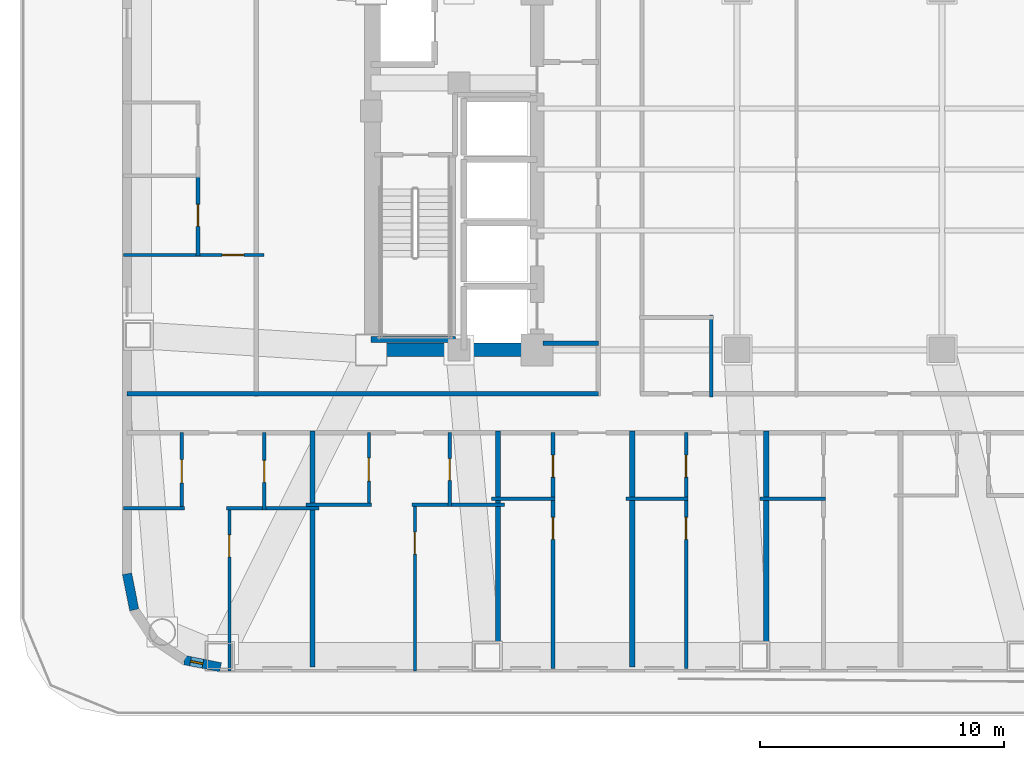
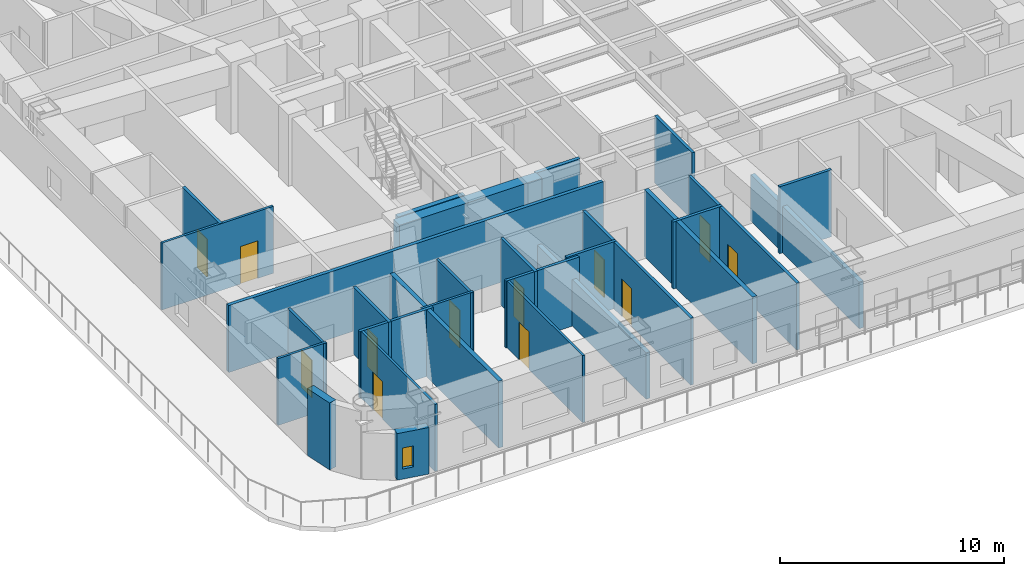
# One storey, part 6 of 18: 30 walls, 12 doors, 1 window, 13 openings.
"""IFC4 building model written with IfcOpenShell, lengths in metres."""

from ifc_helpers import new_model, si_unit, direction, frame, frame_2d, origin, place, context, subcontext, project, spatial, rectangle, extrude, material, layer, layer_set, type_object, element, fill, save


model = new_model("IFC4")

# Units and contexts
model_context = context("Model", 3, precision=1e-05, world=origin(), true_north=direction((0.0, 1.0)))
body_context = subcontext(model_context, "Body", "Model", "MODEL_VIEW")
ifc_project = project(units=[si_unit("LENGTHUNIT", "METRE"), si_unit("AREAUNIT", "SQUARE_METRE"), si_unit("VOLUMEUNIT", "CUBIC_METRE"), si_unit("PLANEANGLEUNIT", "RADIAN"), si_unit("MASSUNIT", "GRAM", prefix="KILO")], contexts=[model_context])

# Site, building, storey
site_placement = place(None, origin())
site = spatial("IfcSite", under=ifc_project, at=site_placement, CompositionType="ELEMENT")
building_placement = place(site_placement, origin())
building = spatial("IfcBuilding", under=site, at=building_placement, Name="Voryun Gate Residences", CompositionType="ELEMENT")
storey_placement = place(building_placement, frame((0.0, 0.0, 85.800048828125)))
storey = spatial("IfcBuildingStorey", under=building, at=storey_placement, Name="L20", CompositionType="ELEMENT", Elevation=85.800048828125)

# Walls
ifc_material_1 = material(Name="Concrete C60/75", Category="concrete")
ifc_layer_1 = layer(ifc_material_1, 0.550048828125, Name="CW_CORE_550")
ifc_layer_set_1 = layer_set([ifc_layer_1], Name="Concrete C60/75")
wall_type_1 = type_object("IfcWallType", Name="CW_CORE_550", PredefinedType="SHEAR", material=ifc_layer_set_1)
wall_1_placement = place(storey_placement, frame((-19.47509765625, -7.39990234375, 0.0), z_axis=(0.0, 0.0, 1.0), x_axis=(1.0, 0.0, 0.0)))
element("IfcWall", 1, at=wall_1_placement, inside=storey, type_object=wall_type_1, Name="L20 Core shear wall CW-L20-WS", PredefinedType="SHEAR", context=body_context, shape_type="SweptSolid", body=[
    extrude(rectangle(XDim=7.35009765625, YDim=0.550048828125, at=frame_2d((3.675048828125, 0.0))), origin(), (0.0, 0.0, 1.0), 3.64990234375),
])
ifc_material_2 = material(Name="Gypsum acoustic fireboard")
ifc_layer_2 = layer(ifc_material_2, 0.179931640625, Name="W_CORR_RATED_180")
ifc_layer_set_2 = layer_set([ifc_layer_2], Name="Gypsum acoustic fireboard")
wall_type_2 = type_object("IfcWallType", Name="W_CORR_RATED_180", PredefinedType="PARTITIONING", material=ifc_layer_set_2)
wall_2_placement = place(storey_placement, frame((-12.14990234375, -7.1201171875, 0.0), z_axis=(0.0, 0.0, 1.0), x_axis=(1.0, 0.0, 0.0)))
element("IfcWall", 2, at=wall_2_placement, inside=storey, type_object=wall_type_2, Name="Partition wall WP-L20-PLBS-W", PredefinedType="PARTITIONING", context=body_context, shape_type="SweptSolid", body=[
    extrude(rectangle(XDim=2.27001953125, YDim=0.179931640625, at=frame_2d((1.135009765625, 0.0))), origin(), (0.0, 0.0, 1.0), 3.64990234375),
])
wall_3_placement = place(storey_placement, frame((-29.2099609375, -9.18994140625, 0.0), z_axis=(0.0, 0.0, 1.0), x_axis=(1.0, 0.0, 0.0)))
element("IfcWall", 3, at=wall_3_placement, inside=storey, type_object=wall_type_2, Name="Partition wall WP-L20-CWING-WS", PredefinedType="PARTITIONING", context=body_context, shape_type="SweptSolid", body=[
    extrude(rectangle(XDim=19.330078125, YDim=0.179931640625, at=frame_2d((9.6650390625, 0.0))), origin(), (0.0, 0.0, 1.0), 3.64990234375),
])

# Wall, opening, window
ifc_material_3 = material(Name="Granite masonry", Category="masonry")
ifc_layer_3 = layer(ifc_material_3, 0.3798828125, Name="W_EXT_GRANITE_380")
ifc_layer_set_3 = layer_set([ifc_layer_3], Name="Granite masonry")
wall_type_3 = type_object("IfcWallType", Name="W_EXT_GRANITE_380", PredefinedType="ELEMENTEDWALL", material=ifc_layer_set_3)
wall_4_placement = place(storey_placement, frame((-25.38134765625, -20.409912109375, 0.0), z_axis=(0.0, 0.0, 1.0), x_axis=(-0.980786132421, 0.195086038585, 0.0)))
wall_4 = element("IfcWall", 4, at=wall_4_placement, inside=storey, type_object=wall_type_3, Name="Exterior wall WEXT-L20-02", PredefinedType="ELEMENTEDWALL", context=body_context, shape_type="SweptSolid", body=[
    extrude(rectangle(XDim=1.504150390625, YDim=0.3798828125, at=frame_2d((0.751953125, 0.0))), origin(), (0.0, 0.0, 1.0), 2.5400390625),
])
opening_1_placement = place(wall_4_placement, frame((0.732177734375, 0.0, 0.550048828125)))
opening_1 = element("IfcOpeningElement", 5, at=opening_1_placement, cuts=wall_4, Name="Opening WN10", PredefinedType="OPENING", context=body_context, shape_type="SweptSolid", body=[
    extrude(rectangle(XDim=0.52001953125, YDim=1.14990234375, at=frame_2d((0.260009765625, 0.574951171875))), frame((0.0, 0.199951171875, 0.0), z_axis=(0.0, -1.0, 0.0), x_axis=(1.0, 0.0, 0.0)), (0.0, 0.0, 1.0), 0.39990234375),
])
ifc_material_4 = material(Name="Laminated low-E glass", Category="glass")
window_type = type_object("IfcWindowType", Name="WN_PAGODA_LANCET_520", PartitioningType="SINGLE_PANEL", PredefinedType="WINDOW", material=ifc_material_4)
window_placement = place(opening_1_placement, origin())
window = element("IfcWindow", 6, at=window_placement, inside=storey, type_object=window_type, Name="Window WN-L20-DWFIX-14", OverallHeight=1.14990234375, OverallWidth=0.52001953125, PartitioningType="SINGLE_PANEL", PredefinedType="WINDOW", context=body_context, shape_type="SweptSolid", body=[
    extrude(rectangle(XDim=0.52001953125, YDim=1.14990234375, at=frame_2d((0.260009765625, 0.574951171875))), frame((0.0, 0.030029296875, 0.0), z_axis=(0.0, -1.0, 0.0), x_axis=(1.0, 0.0, 0.0)), (0.0, 0.0, 1.0), 0.06005859375),
])
fill(opening_1, window)

# Walls
wall_5_placement = place(storey_placement, frame((-28.91650390625, -18.056640625, 0.0), z_axis=(0.0, 0.0, 1.0), x_axis=(-0.195086038585, 0.980786132421, 0.0)))
element("IfcWall", 7, at=wall_5_placement, inside=storey, type_object=wall_type_3, Name="Exterior wall WEXT-L20-05", PredefinedType="ELEMENTEDWALL", context=body_context, shape_type="SweptSolid", body=[
    extrude(rectangle(XDim=1.504150390625, YDim=0.3798828125, at=frame_2d((0.751953125, 0.0))), origin(), (0.0, 0.0, 1.0), 3.64990234375),
])
ifc_material_5 = material(Name="Concrete C40/50", Category="concrete")
ifc_layer_4 = layer(ifc_material_5, 0.219970703125, Name="W_PARTY_ACOUSTIC_220")
ifc_layer_set_4 = layer_set([ifc_layer_4], Name="Concrete C40/50")
wall_type_4 = type_object("IfcWallType", Name="W_PARTY_ACOUSTIC_220", PredefinedType="PARTITIONING", material=ifc_layer_set_4)
wall_6_placement = place(storey_placement, frame((-21.60888671875, -20.409912109375, 0.0), z_axis=(0.0, 0.0, 1.0), x_axis=(0.0, 1.0, 0.0)))
element("IfcWall", 8, at=wall_6_placement, inside=storey, type_object=wall_type_4, Name="Partition wall WP-L20-SPTY-1", PredefinedType="PARTITIONING", context=body_context, shape_type="SweptSolid", body=[
    extrude(rectangle(XDim=9.68994140625, YDim=0.219970703125, at=frame_2d((4.844970703125, 0.0))), origin(), (0.0, 0.0, 1.0), 3.64990234375),
])
wall_7_placement = place(storey_placement, frame((-14.0, -20.409912109375, 0.0), z_axis=(0.0, 0.0, 1.0), x_axis=(0.0, 1.0, 0.0)))
element("IfcWall", 9, at=wall_7_placement, inside=storey, type_object=wall_type_4, Name="Partition wall WP-L20-SPTY-2", PredefinedType="PARTITIONING", context=body_context, shape_type="SweptSolid", body=[
    extrude(rectangle(XDim=9.68994140625, YDim=0.219970703125, at=frame_2d((4.844970703125, 0.0))), origin(), (0.0, 0.0, 1.0), 2.5400390625),
])
wall_8_placement = place(storey_placement, frame((-8.5, -20.409912109375, 0.0), z_axis=(0.0, 0.0, 1.0), x_axis=(0.0, 1.0, 0.0)))
element("IfcWall", 10, at=wall_8_placement, inside=storey, type_object=wall_type_4, Name="Partition wall WP-L20-SPTY-3", PredefinedType="PARTITIONING", context=body_context, shape_type="SweptSolid", body=[
    extrude(rectangle(XDim=9.68994140625, YDim=0.219970703125, at=frame_2d((4.844970703125, 0.0))), origin(), (0.0, 0.0, 1.0), 3.64990234375),
])
wall_9_placement = place(storey_placement, frame((-3.0, -20.409912109375, 0.0), z_axis=(0.0, 0.0, 1.0), x_axis=(0.0, 1.0, 0.0)))
element("IfcWall", 11, at=wall_9_placement, inside=storey, type_object=wall_type_4, Name="Partition wall WP-L20-SPTY-4", PredefinedType="PARTITIONING", context=body_context, shape_type="SweptSolid", body=[
    extrude(rectangle(XDim=9.68994140625, YDim=0.219970703125, at=frame_2d((4.844970703125, 0.0))), origin(), (0.0, 0.0, 1.0), 2.5400390625),
])
ifc_material_6 = material(Name="Concrete C50/60", Category="concrete")
ifc_layer_5 = layer(ifc_material_6, 0.25, Name="W_SHAFT_RC250")
ifc_layer_set_5 = layer_set([ifc_layer_5], Name="Concrete C50/60")
wall_type_5 = type_object("IfcWallType", Name="W_SHAFT_RC250", PredefinedType="SOLIDWALL", material=ifc_layer_set_5)
wall_10_placement = place(storey_placement, frame((-19.199951171875, -6.965087890625, 0.0), z_axis=(0.0, 0.0, 1.0), x_axis=(1.0, 0.0, 0.0)))
element("IfcWall", 12, at=wall_10_placement, inside=storey, type_object=wall_type_5, Name="L20 Stair shaft structural wall W-STS", PredefinedType="SOLIDWALL", context=body_context, shape_type="SweptSolid", body=[
    extrude(rectangle(XDim=3.4599609375, YDim=0.25, at=frame_2d((1.72998046875, 0.0))), origin(), (0.0, 0.0, 1.0), 3.64990234375),
])

# Wall, opening, door
ifc_material_7 = material(Name="Gypsum acoustic partition")
ifc_layer_6 = layer(ifc_material_7, 0.125, Name="W_UNIT_PART_125")
ifc_layer_set_6 = layer_set([ifc_layer_6], Name="Gypsum acoustic partition")
wall_type_6 = type_object("IfcWallType", Name="W_UNIT_PART_125", PredefinedType="PARTITIONING", material=ifc_layer_set_6)
wall_11_placement = place(storey_placement, frame((-25.01904296875, -20.56005859375, 0.0), z_axis=(0.0, 0.0, 1.0), x_axis=(0.0, 1.0, 0.0)))
wall_11 = element("IfcWall", 13, at=wall_11_placement, inside=storey, type_object=wall_type_6, Name="Partition wall WP-L20-S1-OVR", PredefinedType="PARTITIONING", context=body_context, shape_type="SweptSolid", body=[
    extrude(rectangle(XDim=6.7490234375, YDim=0.125, at=frame_2d((3.37451171875, 0.0))), origin(), (0.0, 0.0, 1.0), 3.64990234375),
])
opening_2_placement = place(wall_11_placement, frame((4.67919921875, 0.0, 0.0)))
opening_2 = element("IfcOpeningElement", 14, at=opening_2_placement, cuts=wall_11, Name="Opening D-INT-2", PredefinedType="OPENING", context=body_context, shape_type="SweptSolid", body=[
    extrude(rectangle(XDim=0.89990234375, YDim=2.050048828125, at=frame_2d((0.449951171875, 1.02490234375))), frame((0.0, 0.072509765625, 0.0), z_axis=(0.0, -1.0, 0.0), x_axis=(1.0, 0.0, 0.0)), (0.0, 0.0, 1.0), 0.14501953125),
])
ifc_material_8 = material(Name="Architectural oak veneer")
door_type_1 = type_object("IfcDoorType", Name="DR_INT_BATH_900", OperationType="NOTDEFINED", PredefinedType="DOOR", material=ifc_material_8)
door_1_placement = place(opening_2_placement, origin())
door_1 = element("IfcDoor", 15, at=door_1_placement, inside=storey, type_object=door_type_1, Name="Door DR-L20-S1-DMB", OperationType="SINGLE_SWING_RIGHT", OverallHeight=2.050048828125, OverallWidth=0.89990234375, PredefinedType="DOOR", context=body_context, shape_type="SweptSolid", body=[
    extrude(rectangle(XDim=0.89990234375, YDim=2.050048828125, at=frame_2d((0.449951171875, 1.02490234375))), frame((0.0, 0.02490234375, 0.0), z_axis=(0.0, -1.0, 0.0), x_axis=(1.0, 0.0, 0.0)), (0.0, 0.0, 1.0), 0.050048828125),
])
fill(opening_2, door_1)

wall_12_placement = place(storey_placement, frame((-26.968017578125, -13.970947265625, 0.0), z_axis=(0.0, 0.0, 1.0), x_axis=(0.0, 1.0, 0.0)))
wall_12 = element("IfcWall", 16, at=wall_12_placement, inside=storey, type_object=wall_type_6, Name="Partition wall WP-L20-S1-IVK", PredefinedType="PARTITIONING", context=body_context, shape_type="SweptSolid", body=[
    extrude(rectangle(XDim=3.19091796875, YDim=0.125, at=frame_2d((1.595458984375, 0.0))), origin(), (0.0, 0.0, 1.0), 3.64990234375),
])
opening_3_placement = place(wall_12_placement, frame((1.12060546875, 0.0, 0.0)))
opening_3 = element("IfcOpeningElement", 17, at=opening_3_placement, cuts=wall_12, Name="Opening D-INT-1", PredefinedType="OPENING", context=body_context, shape_type="SweptSolid", body=[
    extrude(rectangle(XDim=0.949951171875, YDim=2.050048828125, at=frame_2d((0.47509765625, 1.02490234375))), frame((0.0, 0.072509765625, 0.0), z_axis=(0.0, -1.0, 0.0), x_axis=(1.0, 0.0, 0.0)), (0.0, 0.0, 1.0), 0.14501953125),
])
ifc_material_9 = material(Name="Architectural oak veneer")
door_type_2 = type_object("IfcDoorType", Name="DR_INT_ROOM_950", OperationType="NOTDEFINED", PredefinedType="DOOR", material=ifc_material_9)
door_2_placement = place(opening_3_placement, origin())
door_2 = element("IfcDoor", 18, at=door_2_placement, inside=storey, type_object=door_type_2, Name="Door DR-L20-S1-DK", OperationType="SINGLE_SWING_LEFT", OverallHeight=2.050048828125, OverallWidth=0.949951171875, PredefinedType="DOOR", context=body_context, shape_type="SweptSolid", body=[
    extrude(rectangle(XDim=0.949951171875, YDim=2.050048828125, at=frame_2d((0.47509765625, 1.02490234375))), frame((0.0, 0.02490234375, 0.0), z_axis=(0.0, -1.0, 0.0), x_axis=(1.0, 0.0, 0.0)), (0.0, 0.0, 1.0), 0.050048828125),
])
fill(opening_3, door_2)

# Wall
wall_13_placement = place(storey_placement, frame((-29.360107421875, -13.89111328125, 0.0), z_axis=(0.0, 0.0, 1.0), x_axis=(1.0, 0.0, 0.0)))
element("IfcWall", 19, at=wall_13_placement, inside=storey, type_object=wall_type_6, Name="Partition wall WP-L20-S1-HZK", PredefinedType="PARTITIONING", context=body_context, shape_type="SweptSolid", body=[
    extrude(rectangle(XDim=2.51220703125, YDim=0.125, at=frame_2d((1.256103515625, 0.0))), origin(), (0.0, 0.0, 1.0), 3.64990234375),
])

# Wall, opening, door
wall_14_placement = place(storey_placement, frame((-17.409912109375, -20.56005859375, 0.0), z_axis=(0.0, 0.0, 1.0), x_axis=(0.0, 1.0, 0.0)))
wall_14 = element("IfcWall", 20, at=wall_14_placement, inside=storey, type_object=wall_type_6, Name="Partition wall WP-L20-S2-OVR", PredefinedType="PARTITIONING", context=body_context, shape_type="SweptSolid", body=[
    extrude(rectangle(XDim=6.89306640625, YDim=0.125, at=frame_2d((3.446533203125, 0.0))), origin(), (0.0, 0.0, 1.0), 3.64990234375),
])
opening_4_placement = place(wall_14_placement, frame((4.788818359375, 0.0, 0.0)))
opening_4 = element("IfcOpeningElement", 21, at=opening_4_placement, cuts=wall_14, Name="Opening D-INT-2", PredefinedType="OPENING", context=body_context, shape_type="SweptSolid", body=[
    extrude(rectangle(XDim=0.89990234375, YDim=2.050048828125, at=frame_2d((0.449951171875, 1.02490234375))), frame((0.0, 0.072509765625, 0.0), z_axis=(0.0, -1.0, 0.0), x_axis=(1.0, 0.0, 0.0)), (0.0, 0.0, 1.0), 0.14501953125),
])
door_3_placement = place(opening_4_placement, origin())
door_3 = element("IfcDoor", 22, at=door_3_placement, inside=storey, type_object=door_type_1, Name="Door DR-L20-S2-DMB", OperationType="SINGLE_SWING_RIGHT", OverallHeight=2.050048828125, OverallWidth=0.89990234375, PredefinedType="DOOR", context=body_context, shape_type="SweptSolid", body=[
    extrude(rectangle(XDim=0.89990234375, YDim=2.050048828125, at=frame_2d((0.449951171875, 1.02490234375))), frame((0.0, 0.02490234375, 0.0), z_axis=(0.0, -1.0, 0.0), x_axis=(1.0, 0.0, 0.0)), (0.0, 0.0, 1.0), 0.050048828125),
])
fill(opening_4, door_3)

wall_15_placement = place(storey_placement, frame((-19.299072265625, -13.826904296875, 0.0), z_axis=(0.0, 0.0, 1.0), x_axis=(0.0, 1.0, 0.0)))
wall_15 = element("IfcWall", 23, at=wall_15_placement, inside=storey, type_object=wall_type_6, Name="Partition wall WP-L20-S2-IVK", PredefinedType="PARTITIONING", context=body_context, shape_type="SweptSolid", body=[
    extrude(rectangle(XDim=3.046875, YDim=0.125, at=frame_2d((1.5234375, 0.0))), origin(), (0.0, 0.0, 1.0), 3.64990234375),
])
opening_5_placement = place(wall_15_placement, frame((1.048583984375, 0.0, 0.0)))
opening_5 = element("IfcOpeningElement", 24, at=opening_5_placement, cuts=wall_15, Name="Opening D-INT-1", PredefinedType="OPENING", context=body_context, shape_type="SweptSolid", body=[
    extrude(rectangle(XDim=0.949951171875, YDim=2.050048828125, at=frame_2d((0.47509765625, 1.02490234375))), frame((0.0, 0.072509765625, 0.0), z_axis=(0.0, -1.0, 0.0), x_axis=(1.0, 0.0, 0.0)), (0.0, 0.0, 1.0), 0.14501953125),
])
door_4_placement = place(opening_5_placement, origin())
door_4 = element("IfcDoor", 25, at=door_4_placement, inside=storey, type_object=door_type_2, Name="Door DR-L20-S2-DK", OperationType="SINGLE_SWING_LEFT", OverallHeight=2.050048828125, OverallWidth=0.949951171875, PredefinedType="DOOR", context=body_context, shape_type="SweptSolid", body=[
    extrude(rectangle(XDim=0.949951171875, YDim=2.050048828125, at=frame_2d((0.47509765625, 1.02490234375))), frame((0.0, 0.02490234375, 0.0), z_axis=(0.0, -1.0, 0.0), x_axis=(1.0, 0.0, 0.0)), (0.0, 0.0, 1.0), 0.050048828125),
])
fill(opening_5, door_4)

# Wall
wall_16_placement = place(storey_placement, frame((-21.868896484375, -13.7470703125, 0.0), z_axis=(0.0, 0.0, 1.0), x_axis=(1.0, 0.0, 0.0)))
element("IfcWall", 26, at=wall_16_placement, inside=storey, type_object=wall_type_6, Name="Partition wall WP-L20-S2-HZK", PredefinedType="PARTITIONING", context=body_context, shape_type="SweptSolid", body=[
    extrude(rectangle(XDim=2.68994140625, YDim=0.125, at=frame_2d((1.344970703125, 0.0))), origin(), (0.0, 0.0, 1.0), 3.64990234375),
])

# Wall, opening, door
wall_17_placement = place(storey_placement, frame((-29.360107421875, -3.510009765625, 0.0), z_axis=(0.0, 0.0, 1.0), x_axis=(1.0, 0.0, 0.0)))
wall_17 = element("IfcWall", 27, at=wall_17_placement, inside=storey, type_object=wall_type_6, Name="Partition wall WP-L20-W1-HZ3", PredefinedType="PARTITIONING", context=body_context, shape_type="SweptSolid", body=[
    extrude(rectangle(XDim=5.760009765625, YDim=0.125, at=frame_2d((2.8798828125, 0.0))), origin(), (0.0, 0.0, 1.0), 3.64990234375),
])
opening_6_placement = place(wall_17_placement, frame((4.042724609375, 0.0, 0.0)))
opening_6 = element("IfcOpeningElement", 28, at=opening_6_placement, cuts=wall_17, Name="Opening D-INT-2", PredefinedType="OPENING", context=body_context, shape_type="SweptSolid", body=[
    extrude(rectangle(XDim=0.89990234375, YDim=2.050048828125, at=frame_2d((0.449951171875, 1.02490234375))), frame((0.0, 0.072509765625, 0.0), z_axis=(0.0, -1.0, 0.0), x_axis=(1.0, 0.0, 0.0)), (0.0, 0.0, 1.0), 0.14501953125),
])
door_5_placement = place(opening_6_placement, origin())
door_5 = element("IfcDoor", 29, at=door_5_placement, inside=storey, type_object=door_type_1, Name="Door DR-L20-W1-DMB", OperationType="SINGLE_SWING_LEFT", OverallHeight=2.050048828125, OverallWidth=0.89990234375, PredefinedType="DOOR", context=body_context, shape_type="SweptSolid", body=[
    extrude(rectangle(XDim=0.89990234375, YDim=2.050048828125, at=frame_2d((0.449951171875, 1.02490234375))), frame((0.0, 0.02490234375, 0.0), z_axis=(0.0, -1.0, 0.0), x_axis=(1.0, 0.0, 0.0)), (0.0, 0.0, 1.0), 0.050048828125),
])
fill(opening_6, door_5)

# Walls
ifc_material_10 = material(Name="Gypsum moisture-resistant partition")
ifc_layer_7 = layer(ifc_material_10, 0.14990234375, Name="W_WET_PLUMB_150")
ifc_layer_set_7 = layer_set([ifc_layer_7], Name="Gypsum moisture-resistant partition")
wall_type_7 = type_object("IfcWallType", Name="W_WET_PLUMB_150", PredefinedType="PLUMBINGWALL", material=ifc_layer_set_7)
wall_18_placement = place(storey_placement, frame((-5.260009765625, -9.320068359375, 0.0), z_axis=(0.0, 0.0, 1.0), x_axis=(0.0, 1.0, 0.0)))
element("IfcWall", 30, at=wall_18_placement, inside=storey, type_object=wall_type_7, Name="Partition wall WP-L20-CMWCX", PredefinedType="PLUMBINGWALL", context=body_context, shape_type="SweptSolid", body=[
    extrude(rectangle(XDim=3.35009765625, YDim=0.14990234375, at=frame_2d((1.675048828125, 0.0))), origin(), (0.0, 0.0, 1.0), 3.64990234375),
])
wall_19_placement = place(storey_placement, frame((-25.138916015625, -13.89111328125, 0.0), z_axis=(0.0, 0.0, 1.0), x_axis=(1.0, 0.0, 0.0)))
element("IfcWall", 31, at=wall_19_placement, inside=storey, type_object=wall_type_7, Name="Partition wall WP-L20-S1-HZB", PredefinedType="PLUMBINGWALL", context=body_context, shape_type="SweptSolid", body=[
    extrude(rectangle(XDim=3.789794921875, YDim=0.14990234375, at=frame_2d((1.89501953125, 0.0))), origin(), (0.0, 0.0, 1.0), 3.64990234375),
])

# Wall, opening, door
wall_20_placement = place(storey_placement, frame((-23.589111328125, -13.970947265625, 0.0), z_axis=(0.0, 0.0, 1.0), x_axis=(0.0, 1.0, 0.0)))
wall_20 = element("IfcWall", 32, at=wall_20_placement, inside=storey, type_object=wall_type_7, Name="Partition wall WP-L20-S1-IVB", PredefinedType="PLUMBINGWALL", context=body_context, shape_type="SweptSolid", body=[
    extrude(rectangle(XDim=3.19091796875, YDim=0.14990234375, at=frame_2d((1.595458984375, 0.0))), origin(), (0.0, 0.0, 1.0), 3.64990234375),
])
opening_7_placement = place(wall_20_placement, frame((1.1455078125, 0.0, 0.0)))
opening_7 = element("IfcOpeningElement", 33, at=opening_7_placement, cuts=wall_20, Name="Opening D-INT-2", PredefinedType="OPENING", context=body_context, shape_type="SweptSolid", body=[
    extrude(rectangle(XDim=0.89990234375, YDim=2.050048828125, at=frame_2d((0.449951171875, 1.02490234375))), frame((0.0, 0.0849609375, 0.0), z_axis=(0.0, -1.0, 0.0), x_axis=(1.0, 0.0, 0.0)), (0.0, 0.0, 1.0), 0.169921875),
])
door_6_placement = place(opening_7_placement, origin())
door_6 = element("IfcDoor", 34, at=door_6_placement, inside=storey, type_object=door_type_1, Name="Door DR-L20-S1-DB", OperationType="SINGLE_SWING_RIGHT", OverallHeight=2.050048828125, OverallWidth=0.89990234375, PredefinedType="DOOR", context=body_context, shape_type="SweptSolid", body=[
    extrude(rectangle(XDim=0.89990234375, YDim=2.050048828125, at=frame_2d((0.449951171875, 1.02490234375))), frame((0.0, 0.02490234375, 0.0), z_axis=(0.0, -1.0, 0.0), x_axis=(1.0, 0.0, 0.0)), (0.0, 0.0, 1.0), 0.050048828125),
])
fill(opening_7, door_6)

# Wall
wall_21_placement = place(storey_placement, frame((-17.530029296875, -13.7470703125, 0.0), z_axis=(0.0, 0.0, 1.0), x_axis=(1.0, 0.0, 0.0)))
element("IfcWall", 35, at=wall_21_placement, inside=storey, type_object=wall_type_7, Name="Partition wall WP-L20-S2-HZB", PredefinedType="PLUMBINGWALL", context=body_context, shape_type="SweptSolid", body=[
    extrude(rectangle(XDim=3.7900390625, YDim=0.14990234375, at=frame_2d((1.89501953125, 0.0))), origin(), (0.0, 0.0, 1.0), 3.64990234375),
])

# Wall, opening, door
wall_22_placement = place(storey_placement, frame((-15.97998046875, -13.826904296875, 0.0), z_axis=(0.0, 0.0, 1.0), x_axis=(0.0, 1.0, 0.0)))
wall_22 = element("IfcWall", 36, at=wall_22_placement, inside=storey, type_object=wall_type_7, Name="Partition wall WP-L20-S2-IVB", PredefinedType="PLUMBINGWALL", context=body_context, shape_type="SweptSolid", body=[
    extrude(rectangle(XDim=3.046875, YDim=0.14990234375, at=frame_2d((1.5234375, 0.0))), origin(), (0.0, 0.0, 1.0), 3.64990234375),
])
opening_8_placement = place(wall_22_placement, frame((1.073486328125, 0.0, 0.0)))
opening_8 = element("IfcOpeningElement", 37, at=opening_8_placement, cuts=wall_22, Name="Opening D-INT-2", PredefinedType="OPENING", context=body_context, shape_type="SweptSolid", body=[
    extrude(rectangle(XDim=0.89990234375, YDim=2.050048828125, at=frame_2d((0.449951171875, 1.02490234375))), frame((0.0, 0.0849609375, 0.0), z_axis=(0.0, -1.0, 0.0), x_axis=(1.0, 0.0, 0.0)), (0.0, 0.0, 1.0), 0.169921875),
])
door_7_placement = place(opening_8_placement, origin())
door_7 = element("IfcDoor", 38, at=door_7_placement, inside=storey, type_object=door_type_1, Name="Door DR-L20-S2-DB", OperationType="SINGLE_SWING_RIGHT", OverallHeight=2.050048828125, OverallWidth=0.89990234375, PredefinedType="DOOR", context=body_context, shape_type="SweptSolid", body=[
    extrude(rectangle(XDim=0.89990234375, YDim=2.050048828125, at=frame_2d((0.449951171875, 1.02490234375))), frame((0.0, 0.02490234375, 0.0), z_axis=(0.0, -1.0, 0.0), x_axis=(1.0, 0.0, 0.0)), (0.0, 0.0, 1.0), 0.050048828125),
])
fill(opening_8, door_7)

# Wall
wall_23_placement = place(storey_placement, frame((-14.260009765625, -13.5, 0.0), z_axis=(0.0, 0.0, 1.0), x_axis=(1.0, 0.0, 0.0)))
element("IfcWall", 39, at=wall_23_placement, inside=storey, type_object=wall_type_7, Name="Partition wall WP-L20-S3-SKB", PredefinedType="PLUMBINGWALL", context=body_context, shape_type="SweptSolid", body=[
    extrude(rectangle(XDim=2.590087890625, YDim=0.14990234375, at=frame_2d((1.294921875, 0.0))), origin(), (0.0, 0.0, 1.0), 3.64990234375),
])

# Wall, opening, door
wall_24_placement = place(storey_placement, frame((-11.75, -20.45751953125, 0.0), z_axis=(0.0, 0.0, 1.0), x_axis=(0.0, 1.0, 0.0)))
wall_24 = element("IfcWall", 40, at=wall_24_placement, inside=storey, type_object=wall_type_7, Name="Partition wall WP-L20-S3-SVT1", PredefinedType="PLUMBINGWALL", context=body_context, shape_type="SweptSolid", body=[
    extrude(rectangle(XDim=6.99755859375, YDim=0.14990234375, at=frame_2d((3.498779296875, 0.0))), origin(), (0.0, 0.0, 1.0), 3.64990234375),
])
opening_9_placement = place(wall_24_placement, frame((5.2880859375, 0.0, 0.0)))
opening_9 = element("IfcOpeningElement", 41, at=opening_9_placement, cuts=wall_24, Name="Opening D-INT-2", PredefinedType="OPENING", context=body_context, shape_type="SweptSolid", body=[
    extrude(rectangle(XDim=0.89990234375, YDim=2.050048828125, at=frame_2d((0.449951171875, 1.02490234375))), frame((0.0, 0.0849609375, 0.0), z_axis=(0.0, -1.0, 0.0), x_axis=(1.0, 0.0, 0.0)), (0.0, 0.0, 1.0), 0.169921875),
])
door_8_placement = place(opening_9_placement, origin())
door_8 = element("IfcDoor", 42, at=door_8_placement, inside=storey, type_object=door_type_1, Name="Door DR-L20-S3-DK", OperationType="SINGLE_SWING_LEFT", OverallHeight=2.050048828125, OverallWidth=0.89990234375, PredefinedType="DOOR", context=body_context, shape_type="SweptSolid", body=[
    extrude(rectangle(XDim=0.89990234375, YDim=2.050048828125, at=frame_2d((0.449951171875, 1.02490234375))), frame((0.0, 0.02490234375, 0.0), z_axis=(0.0, -1.0, 0.0), x_axis=(1.0, 0.0, 0.0)), (0.0, 0.0, 1.0), 0.050048828125),
])
fill(opening_9, door_8)

wall_25_placement = place(storey_placement, frame((-11.75, -13.5400390625, 0.0), z_axis=(0.0, 0.0, 1.0), x_axis=(0.0, 1.0, 0.0)))
wall_25 = element("IfcWall", 43, at=wall_25_placement, inside=storey, type_object=wall_type_7, Name="Partition wall WP-L20-S3-SVT2", PredefinedType="PLUMBINGWALL", context=body_context, shape_type="SweptSolid", body=[
    extrude(rectangle(XDim=2.760009765625, YDim=0.14990234375, at=frame_2d((1.3798828125, 0.0))), origin(), (0.0, 0.0, 1.0), 3.64990234375),
])
opening_10_placement = place(wall_25_placement, frame((0.929931640625, 0.0, 0.0)))
opening_10 = element("IfcOpeningElement", 44, at=opening_10_placement, cuts=wall_25, Name="Opening D-INT-2", PredefinedType="OPENING", context=body_context, shape_type="SweptSolid", body=[
    extrude(rectangle(XDim=0.89990234375, YDim=2.050048828125, at=frame_2d((0.449951171875, 1.02490234375))), frame((0.0, 0.0849609375, 0.0), z_axis=(0.0, -1.0, 0.0), x_axis=(1.0, 0.0, 0.0)), (0.0, 0.0, 1.0), 0.169921875),
])
door_9_placement = place(opening_10_placement, origin())
door_9 = element("IfcDoor", 45, at=door_9_placement, inside=storey, type_object=door_type_1, Name="Door DR-L20-S3-DB", OperationType="SINGLE_SWING_RIGHT", OverallHeight=2.050048828125, OverallWidth=0.89990234375, PredefinedType="DOOR", context=body_context, shape_type="SweptSolid", body=[
    extrude(rectangle(XDim=0.89990234375, YDim=2.050048828125, at=frame_2d((0.449951171875, 1.02490234375))), frame((0.0, 0.02490234375, 0.0), z_axis=(0.0, -1.0, 0.0), x_axis=(1.0, 0.0, 0.0)), (0.0, 0.0, 1.0), 0.050048828125),
])
fill(opening_10, door_9)

# Wall
wall_26_placement = place(storey_placement, frame((-8.760009765625, -13.5, 0.0), z_axis=(0.0, 0.0, 1.0), x_axis=(1.0, 0.0, 0.0)))
element("IfcWall", 46, at=wall_26_placement, inside=storey, type_object=wall_type_7, Name="Partition wall WP-L20-S4-SKB", PredefinedType="PLUMBINGWALL", context=body_context, shape_type="SweptSolid", body=[
    extrude(rectangle(XDim=2.550048828125, YDim=0.14990234375, at=frame_2d((1.27490234375, 0.0))), origin(), (0.0, 0.0, 1.0), 3.64990234375),
])

# Wall, opening, door
wall_27_placement = place(storey_placement, frame((-6.2900390625, -20.45751953125, 0.0), z_axis=(0.0, 0.0, 1.0), x_axis=(0.0, 1.0, 0.0)))
wall_27 = element("IfcWall", 47, at=wall_27_placement, inside=storey, type_object=wall_type_7, Name="Partition wall WP-L20-S4-SVT1", PredefinedType="PLUMBINGWALL", context=body_context, shape_type="SweptSolid", body=[
    extrude(rectangle(XDim=6.99755859375, YDim=0.14990234375, at=frame_2d((3.498779296875, 0.0))), origin(), (0.0, 0.0, 1.0), 3.64990234375),
])
opening_11_placement = place(wall_27_placement, frame((5.2880859375, 0.0, 0.0)))
opening_11 = element("IfcOpeningElement", 48, at=opening_11_placement, cuts=wall_27, Name="Opening D-INT-2", PredefinedType="OPENING", context=body_context, shape_type="SweptSolid", body=[
    extrude(rectangle(XDim=0.89990234375, YDim=2.050048828125, at=frame_2d((0.449951171875, 1.02490234375))), frame((0.0, 0.0849609375, 0.0), z_axis=(0.0, -1.0, 0.0), x_axis=(1.0, 0.0, 0.0)), (0.0, 0.0, 1.0), 0.169921875),
])
door_10_placement = place(opening_11_placement, origin())
door_10 = element("IfcDoor", 49, at=door_10_placement, inside=storey, type_object=door_type_1, Name="Door DR-L20-S4-DK", OperationType="SINGLE_SWING_LEFT", OverallHeight=2.050048828125, OverallWidth=0.89990234375, PredefinedType="DOOR", context=body_context, shape_type="SweptSolid", body=[
    extrude(rectangle(XDim=0.89990234375, YDim=2.050048828125, at=frame_2d((0.449951171875, 1.02490234375))), frame((0.0, 0.02490234375, 0.0), z_axis=(0.0, -1.0, 0.0), x_axis=(1.0, 0.0, 0.0)), (0.0, 0.0, 1.0), 0.050048828125),
])
fill(opening_11, door_10)

wall_28_placement = place(storey_placement, frame((-6.2900390625, -13.5400390625, 0.0), z_axis=(0.0, 0.0, 1.0), x_axis=(0.0, 1.0, 0.0)))
wall_28 = element("IfcWall", 50, at=wall_28_placement, inside=storey, type_object=wall_type_7, Name="Partition wall WP-L20-S4-SVT2", PredefinedType="PLUMBINGWALL", context=body_context, shape_type="SweptSolid", body=[
    extrude(rectangle(XDim=2.760009765625, YDim=0.14990234375, at=frame_2d((1.3798828125, 0.0))), origin(), (0.0, 0.0, 1.0), 3.64990234375),
])
opening_12_placement = place(wall_28_placement, frame((0.929931640625, 0.0, 0.0)))
opening_12 = element("IfcOpeningElement", 51, at=opening_12_placement, cuts=wall_28, Name="Opening D-INT-2", PredefinedType="OPENING", context=body_context, shape_type="SweptSolid", body=[
    extrude(rectangle(XDim=0.89990234375, YDim=2.050048828125, at=frame_2d((0.449951171875, 1.02490234375))), frame((0.0, 0.0849609375, 0.0), z_axis=(0.0, -1.0, 0.0), x_axis=(1.0, 0.0, 0.0)), (0.0, 0.0, 1.0), 0.169921875),
])
door_11_placement = place(opening_12_placement, origin())
door_11 = element("IfcDoor", 52, at=door_11_placement, inside=storey, type_object=door_type_1, Name="Door DR-L20-S4-DB", OperationType="SINGLE_SWING_RIGHT", OverallHeight=2.050048828125, OverallWidth=0.89990234375, PredefinedType="DOOR", context=body_context, shape_type="SweptSolid", body=[
    extrude(rectangle(XDim=0.89990234375, YDim=2.050048828125, at=frame_2d((0.449951171875, 1.02490234375))), frame((0.0, 0.02490234375, 0.0), z_axis=(0.0, -1.0, 0.0), x_axis=(1.0, 0.0, 0.0)), (0.0, 0.0, 1.0), 0.050048828125),
])
fill(opening_12, door_11)

# Wall
wall_29_placement = place(storey_placement, frame((-3.260009765625, -13.5, 0.0), z_axis=(0.0, 0.0, 1.0), x_axis=(1.0, 0.0, 0.0)))
element("IfcWall", 53, at=wall_29_placement, inside=storey, type_object=wall_type_7, Name="Partition wall WP-L20-S5-SKB", PredefinedType="PLUMBINGWALL", context=body_context, shape_type="SweptSolid", body=[
    extrude(rectangle(XDim=2.680908203125, YDim=0.14990234375, at=frame_2d((1.34033203125, 0.0))), origin(), (0.0, 0.0, 1.0), 3.64990234375),
])

# Wall, opening, door
wall_30_placement = place(storey_placement, frame((-26.303955078125, -3.550048828125, 0.0), z_axis=(0.0, 0.0, 1.0), x_axis=(0.0, 1.0, 0.0)))
wall_30 = element("IfcWall", 54, at=wall_30_placement, inside=storey, type_object=wall_type_7, Name="Partition wall WP-L20-W1-VKB1", PredefinedType="PLUMBINGWALL", context=body_context, shape_type="SweptSolid", body=[
    extrude(rectangle(XDim=3.330078125, YDim=0.14990234375, at=frame_2d((1.6650390625, 0.0))), origin(), (0.0, 0.0, 1.0), 3.64990234375),
])
opening_13_placement = place(wall_30_placement, frame((1.215087890625, 0.0, 0.0)))
opening_13 = element("IfcOpeningElement", 55, at=opening_13_placement, cuts=wall_30, Name="Opening D-INT-2", PredefinedType="OPENING", context=body_context, shape_type="SweptSolid", body=[
    extrude(rectangle(XDim=0.89990234375, YDim=2.050048828125, at=frame_2d((0.449951171875, 1.02490234375))), frame((0.0, 0.0849609375, 0.0), z_axis=(0.0, -1.0, 0.0), x_axis=(1.0, 0.0, 0.0)), (0.0, 0.0, 1.0), 0.169921875),
])
door_12_placement = place(opening_13_placement, origin())
door_12 = element("IfcDoor", 56, at=door_12_placement, inside=storey, type_object=door_type_1, Name="Door DR-L20-W1-DB", OperationType="SINGLE_SWING_LEFT", OverallHeight=2.050048828125, OverallWidth=0.89990234375, PredefinedType="DOOR", context=body_context, shape_type="SweptSolid", body=[
    extrude(rectangle(XDim=0.89990234375, YDim=2.050048828125, at=frame_2d((0.449951171875, 1.02490234375))), frame((0.0, 0.02490234375, 0.0), z_axis=(0.0, -1.0, 0.0), x_axis=(1.0, 0.0, 0.0)), (0.0, 0.0, 1.0), 0.050048828125),
])
fill(opening_13, door_12)

save(model, "model.ifc")
